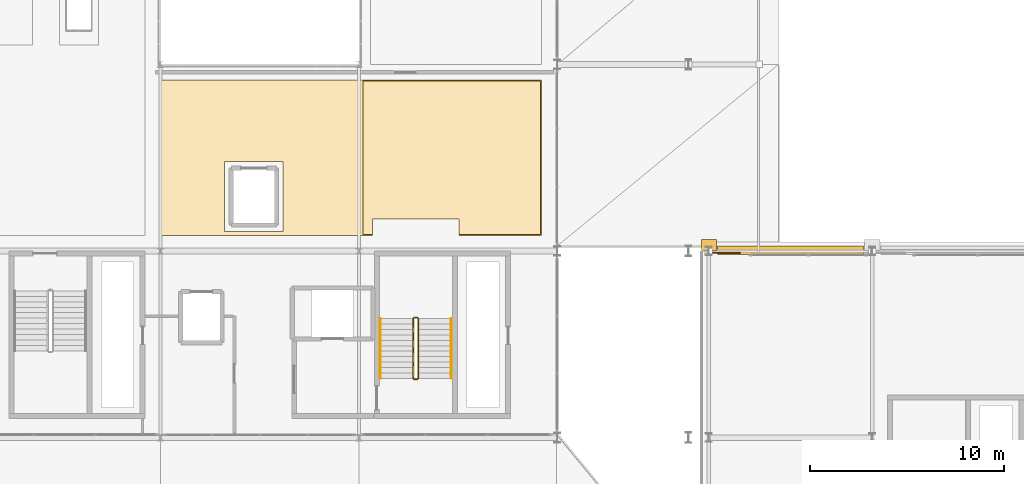
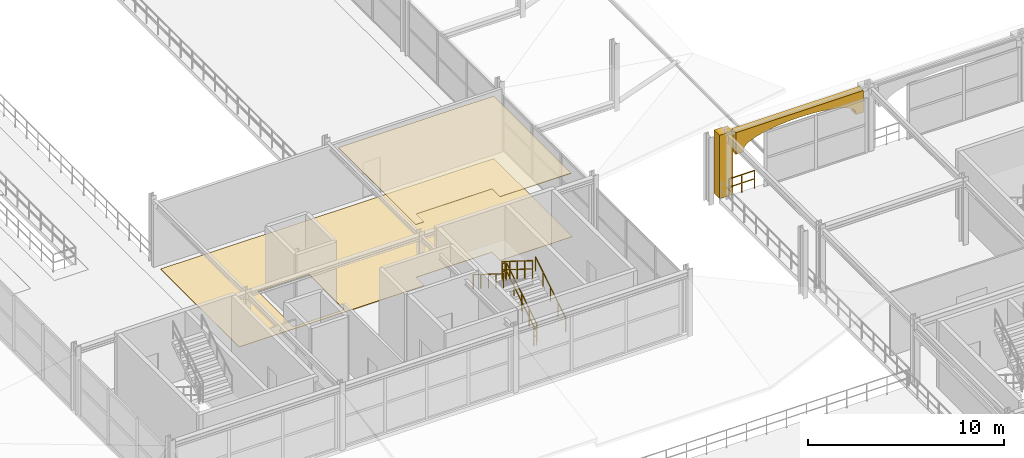
# One storey, part 68 of 81: 7 railings, 4 coverings.
"""IFC4 building model written with IfcOpenShell, lengths in metres."""

from ifc_helpers import new_model, si_unit, direction, frame, origin, origin_2d, place, context, subcontext, project, spatial, polyline, rectangle, outline, extrude, material, layer, layer_set, type_object, element, save


model = new_model("IFC4")

# Units and contexts
model_context = context("Model", 3, precision=1e-05, world=origin(), true_north=direction((0.0, 1.0)))
body_context = subcontext(model_context, "Body", "Model", "MODEL_VIEW")
ifc_project = project(units=[si_unit("LENGTHUNIT", "METRE"), si_unit("AREAUNIT", "SQUARE_METRE"), si_unit("VOLUMEUNIT", "CUBIC_METRE"), si_unit("PLANEANGLEUNIT", "RADIAN"), si_unit("MASSUNIT", "GRAM", prefix="KILO")], contexts=[model_context])

# Site, building, storey
site_placement = place(None, origin())
site = spatial("IfcSite", under=ifc_project, at=site_placement, CompositionType="ELEMENT")
building_placement = place(site_placement, origin())
building = spatial("IfcBuilding", under=site, at=building_placement, Name="Myrtia Square Station", CompositionType="ELEMENT")
storey_placement = place(building_placement, frame((0.0, 0.0, 10.800048828125)))
storey = spatial("IfcBuildingStorey", under=building, at=storey_placement, Name="L02", CompositionType="ELEMENT", Elevation=10.800048828125)

# Coverings
ifc_material_1 = material(Name="Pentelic marble ashlar", Category="masonry")
ifc_layer_1 = layer(ifc_material_1, 0.4599609375, Name="Pentelic marble ashlar")
ifc_layer_set_1 = layer_set([ifc_layer_1], Name="Pentelic marble ashlar")
covering_type_1 = type_object("IfcCoveringType", Name="COV-ARCH-ASHLAR", PredefinedType="CLADDING", material=ifc_layer_set_1)
covering_1_placement = place(storey_placement, frame((117.60009765625, 38.719970703125, -0.0400390625), z_axis=(0.0, 0.0, 1.0), x_axis=(1.0, 0.0, 0.0)))
element("IfcCovering", 1, at=covering_1_placement, inside=storey, type_object=covering_type_1, Name="Classical Pentelic ashlar pilaster 005", PredefinedType="CLADDING", context=body_context, shape_type="SweptSolid", body=[
    extrude(rectangle(XDim=0.780029296875, YDim=0.56005859375, at=origin_2d()), origin(), (0.0, 0.0, 1.0), 3.93994140625),
])
covering_2_placement = place(storey_placement, frame((118.050048828125, 38.449951171875, 2.550048828125), z_axis=(0.0, 0.0, 1.0), x_axis=(1.0, 0.0, 0.0)))
element("IfcCovering", 2, at=covering_2_placement, inside=storey, type_object=covering_type_1, Name="V4 upper square loggia arch 073", PredefinedType="CLADDING", context=body_context, shape_type="SweptSolid", body=[
    extrude(outline(polyline([(0.0, 0.0), (0.449951171875, 0.0), (0.449951171875, 0.14990234375), (0.513427734375, 0.315673828125), (0.701171875, 0.47509765625), (1.006103515625, 0.6220703125), (1.41650390625, 0.7509765625), (1.91650390625, 0.856689453125), (2.487060546875, 0.935302734375), (3.106201171875, 0.983642578125), (3.75, 1.0), (4.393798828125, 0.983642578125), (5.012939453125, 0.935302734375), (5.58349609375, 0.856689453125), (6.08349609375, 0.7509765625), (6.493896484375, 0.6220703125), (6.798828125, 0.47509765625), (6.986572265625, 0.315673828125), (7.050048828125, 0.14990234375), (7.050048828125, 0.0), (7.5, 0.0), (7.5, 1.349853515625), (0.0, 1.349853515625), (0.0, 0.0)])), frame((0.0, 0.219970703125, 0.0), z_axis=(0.0, -1.0, 0.0), x_axis=(1.0, 0.0, 0.0)), (0.0, 0.0, 1.0), 0.43994140625),
])
ifc_material_2 = material(Name="Gypsum plasterboard")
ifc_layer_2 = layer(ifc_material_2, 0.034912109375, Name="Gypsum plasterboard")
ifc_layer_set_2 = layer_set([ifc_layer_2], Name="Gypsum plasterboard")
covering_type_2 = type_object("IfcCoveringType", Name="COV-CEIL-ACOUSTIC", PredefinedType="CEILING", material=ifc_layer_set_2)
covering_3_placement = place(storey_placement, frame((0.0, 0.0, 3.925048828125)))
element("IfcCovering", 3, at=covering_3_placement, inside=storey, type_object=covering_type_2, Name="Acoustic coffer ceiling L02-01", PredefinedType="CEILING", context=body_context, shape_type="SweptSolid", body=[
    extrude(outline(polyline([(108.949951171875, 47.14990234375), (108.949951171875, 39.25), (104.760009765625, 39.25), (104.760009765625, 40.050048828125), (100.300048828125, 40.050048828125), (100.300048828125, 39.25), (99.820068359375, 39.25), (99.820068359375, 47.14990234375), (108.949951171875, 47.14990234375)])), origin(), (0.0, 0.0, 1.0), 0.034912109375),
])
ifc_material_3 = material(Name="Terrazzo stone tile", Category="masonry")
ifc_layer_3 = layer(ifc_material_3, 0.02490234375, Name="Terrazzo stone tile")
ifc_layer_set_3 = layer_set([ifc_layer_3], Name="Terrazzo stone tile")
covering_type_3 = type_object("IfcCoveringType", Name="COV-FLR-TERRAZZO", PredefinedType="FLOORING", material=ifc_layer_set_3)
covering_4_placement = place(storey_placement, origin())
element("IfcCovering", 4, at=covering_4_placement, inside=storey, type_object=covering_type_3, Name="Terrazzo room flooring L02-01", PredefinedType="FLOORING", context=body_context, shape_type="SweptSolid", body=[
    extrude(outline(polyline([(89.39990234375, 47.199951171875), (109.0, 47.199951171875), (109.0, 39.199951171875), (104.760009765625, 39.199951171875), (104.760009765625, 40.050048828125), (100.300048828125, 40.050048828125), (100.300048828125, 39.199951171875), (89.39990234375, 39.199951171875), (89.39990234375, 47.199951171875)]), holes=[polyline([(95.699951171875, 43.0), (92.699951171875, 43.0), (92.699951171875, 39.39990234375), (95.699951171875, 39.39990234375), (95.699951171875, 43.0)])]), origin(), (0.0, 0.0, 1.0), 0.02490234375),
])

# Railings
ifc_material_4 = material(Name="Dark bronze anodised aluminium", Category="aluminium")
railing_type_1 = type_object("IfcRailingType", Name="RL-HANDRAIL-900", PredefinedType="HANDRAIL", material=ifc_material_4)
railing_1_placement = place(storey_placement, frame((104.360107421875, 31.85009765625, 0.175048828125)))
element("IfcRailing", 5, at=railing_1_placement, inside=storey, type_object=railing_type_1, Name="L02 ST03 stair handrail 1", PredefinedType="HANDRAIL", context=body_context, shape_type="SweptSolid", body=[
    extrude(rectangle(XDim=0.048095703125, YDim=0.048095703125, at=origin_2d()), frame((0.0, 0.029296875, 0.894287109375), z_axis=(0.0, 0.848009633417, 0.529980812513), x_axis=(-1.0, 0.0, 0.0)), (0.0, 0.0, 1.0), 0.838623046875),
    extrude(rectangle(XDim=0.048095703125, YDim=0.048095703125, at=origin_2d()), frame((0.0, 0.79931640625, 1.37548828125), z_axis=(0.0, 0.848009633417, 0.529980812513), x_axis=(-1.0, 0.0, 0.0)), (0.0, 0.0, 1.0), 0.838623046875),
    extrude(rectangle(XDim=0.048095703125, YDim=0.048095703125, at=origin_2d()), frame((0.0, 1.5693359375, 1.856689453125), z_axis=(0.0, 0.848009633417, 0.529980812513), x_axis=(-1.0, 0.0, 0.0)), (0.0, 0.0, 1.0), 0.838623046875),
    extrude(rectangle(XDim=0.048095703125, YDim=0.048095703125, at=origin_2d()), frame((0.0, 2.33935546875, 2.337890625), z_axis=(0.0, 0.848009633417, 0.529980812513), x_axis=(-1.0, 0.0, 0.0)), (0.0, 0.0, 1.0), 0.838623046875),
    extrude(rectangle(XDim=0.0439453125, YDim=0.0439453125, at=origin_2d()), origin(), (0.0, 0.0, 1.0), 0.89990234375),
    extrude(rectangle(XDim=0.0439453125, YDim=0.0439453125, at=origin_2d()), frame((0.0, 0.77001953125, 0.481201171875)), (0.0, 0.0, 1.0), 0.89990234375),
    extrude(rectangle(XDim=0.0439453125, YDim=0.0439453125, at=origin_2d()), frame((0.0, 1.5400390625, 0.96240234375)), (0.0, 0.0, 1.0), 0.89990234375),
    extrude(rectangle(XDim=0.0439453125, YDim=0.0439453125, at=origin_2d()), frame((0.0, 2.309814453125, 1.443603515625)), (0.0, 0.0, 1.0), 0.89990234375),
    extrude(rectangle(XDim=0.0439453125, YDim=0.0439453125, at=origin_2d()), frame((0.0, 3.079833984375, 1.9248046875)), (0.0, 0.0, 1.0), 0.89990234375),
])
railing_2_placement = place(storey_placement, frame((100.699951171875, 34.929931640625, 2.27490234375)))
element("IfcRailing", 6, at=railing_2_placement, inside=storey, type_object=railing_type_1, Name="L02 ST03 stair handrail 2", PredefinedType="HANDRAIL", context=body_context, shape_type="SweptSolid", body=[
    extrude(rectangle(XDim=0.048095703125, YDim=0.048095703125, at=origin_2d()), frame((0.0, -0.029296875, 0.894287109375), z_axis=(0.0, -0.847979421464, 0.530029150871), x_axis=(1.0, 0.0, 0.0)), (0.0, 0.0, 1.0), 0.838623046875),
    extrude(rectangle(XDim=0.048095703125, YDim=0.048095703125, at=origin_2d()), frame((0.0, -0.79931640625, 1.37548828125), z_axis=(0.0, -0.847979421464, 0.530029150871), x_axis=(1.0, 0.0, 0.0)), (0.0, 0.0, 1.0), 0.838623046875),
    extrude(rectangle(XDim=0.048095703125, YDim=0.048095703125, at=origin_2d()), frame((0.0, -1.5693359375, 1.856689453125), z_axis=(0.0, -0.847979421464, 0.530029150871), x_axis=(1.0, 0.0, 0.0)), (0.0, 0.0, 1.0), 0.838623046875),
    extrude(rectangle(XDim=0.048095703125, YDim=0.048095703125, at=origin_2d()), frame((0.0, -2.33935546875, 2.337890625), z_axis=(0.0, -0.847979421464, 0.530029150871), x_axis=(1.0, 0.0, 0.0)), (0.0, 0.0, 1.0), 0.838623046875),
    extrude(rectangle(XDim=0.0439453125, YDim=0.0439453125, at=origin_2d()), origin(), (0.0, 0.0, 1.0), 0.89990234375),
    extrude(rectangle(XDim=0.0439453125, YDim=0.0439453125, at=origin_2d()), frame((0.0, -0.77001953125, 0.481201171875)), (0.0, 0.0, 1.0), 0.89990234375),
    extrude(rectangle(XDim=0.0439453125, YDim=0.0439453125, at=origin_2d()), frame((0.0, -1.5400390625, 0.96240234375)), (0.0, 0.0, 1.0), 0.89990234375),
    extrude(rectangle(XDim=0.0439453125, YDim=0.0439453125, at=origin_2d()), frame((0.0, -2.309814453125, 1.44384765625)), (0.0, 0.0, 1.0), 0.89990234375),
    extrude(rectangle(XDim=0.0439453125, YDim=0.0439453125, at=origin_2d()), frame((0.0, -3.079833984375, 1.925048828125)), (0.0, 0.0, 1.0), 0.89990234375),
])
ifc_material_5 = material(Name="Wrought iron", Category="steel")
railing_type_2 = type_object("IfcRailingType", Name="RL-INT-GUARD-1100", PredefinedType="BALUSTRADE", material=ifc_material_5)
railing_3_placement = place(storey_placement, frame((102.659912109375, 31.85009765625, 0.175048828125)))
element("IfcRailing", 7, at=railing_3_placement, inside=storey, type_object=railing_type_2, Name="L02 ST03 stair guard 1", PredefinedType="BALUSTRADE", context=body_context, shape_type="SweptSolid", body=[
    extrude(rectangle(XDim=0.048095703125, YDim=0.048095703125, at=origin_2d()), frame((0.0, 0.029296875, 1.114501953125), z_axis=(0.0, 0.848009633417, 0.529980812513), x_axis=(-1.0, 0.0, 0.0)), (0.0, 0.0, 1.0), 0.838623046875),
    extrude(rectangle(XDim=0.048095703125, YDim=0.048095703125, at=origin_2d()), frame((0.0, 0.029296875, 0.600830078125), z_axis=(0.0, 0.848009633417, 0.529980812513), x_axis=(-1.0, 0.0, 0.0)), (0.0, 0.0, 1.0), 0.838623046875),
    extrude(rectangle(XDim=0.048095703125, YDim=0.048095703125, at=origin_2d()), frame((0.0, 0.79931640625, 1.595703125), z_axis=(0.0, 0.848009633417, 0.529980812513), x_axis=(-1.0, 0.0, 0.0)), (0.0, 0.0, 1.0), 0.838623046875),
    extrude(rectangle(XDim=0.048095703125, YDim=0.048095703125, at=origin_2d()), frame((0.0, 0.79931640625, 1.08203125), z_axis=(0.0, 0.848009633417, 0.529980812513), x_axis=(-1.0, 0.0, 0.0)), (0.0, 0.0, 1.0), 0.838623046875),
    extrude(rectangle(XDim=0.048095703125, YDim=0.048095703125, at=origin_2d()), frame((0.0, 1.5693359375, 2.076904296875), z_axis=(0.0, 0.848009633417, 0.529980812513), x_axis=(-1.0, 0.0, 0.0)), (0.0, 0.0, 1.0), 0.838623046875),
    extrude(rectangle(XDim=0.048095703125, YDim=0.048095703125, at=origin_2d()), frame((0.0, 1.5693359375, 1.563232421875), z_axis=(0.0, 0.848009633417, 0.529980812513), x_axis=(-1.0, 0.0, 0.0)), (0.0, 0.0, 1.0), 0.838623046875),
    extrude(rectangle(XDim=0.048095703125, YDim=0.048095703125, at=origin_2d()), frame((0.0, 2.33935546875, 2.55810546875), z_axis=(0.0, 0.848009633417, 0.529980812513), x_axis=(-1.0, 0.0, 0.0)), (0.0, 0.0, 1.0), 0.838623046875),
    extrude(rectangle(XDim=0.048095703125, YDim=0.048095703125, at=origin_2d()), frame((0.0, 2.33935546875, 2.04443359375), z_axis=(0.0, 0.848009633417, 0.529980812513), x_axis=(-1.0, 0.0, 0.0)), (0.0, 0.0, 1.0), 0.838623046875),
    extrude(rectangle(XDim=0.0439453125, YDim=0.0439453125, at=origin_2d()), origin(), (0.0, 0.0, 1.0), 1.1201171875),
    extrude(rectangle(XDim=0.0439453125, YDim=0.0439453125, at=origin_2d()), frame((0.0, 0.77001953125, 0.481201171875)), (0.0, 0.0, 1.0), 1.1201171875),
    extrude(rectangle(XDim=0.0439453125, YDim=0.0439453125, at=origin_2d()), frame((0.0, 1.5400390625, 0.96240234375)), (0.0, 0.0, 1.0), 1.1201171875),
    extrude(rectangle(XDim=0.0439453125, YDim=0.0439453125, at=origin_2d()), frame((0.0, 2.309814453125, 1.443603515625)), (0.0, 0.0, 1.0), 1.1201171875),
    extrude(rectangle(XDim=0.0439453125, YDim=0.0439453125, at=origin_2d()), frame((0.0, 3.079833984375, 1.9248046875)), (0.0, 0.0, 1.0), 1.1201171875),
])
railing_4_placement = place(storey_placement, frame((102.610107421875, 34.97998046875, 2.099853515625)))
element("IfcRailing", 8, at=railing_4_placement, inside=storey, type_object=railing_type_2, Name="L02 ST03 stair guard 2", PredefinedType="BALUSTRADE", context=body_context, shape_type="SweptSolid", body=[
    extrude(rectangle(XDim=0.048095703125, YDim=0.048095703125, at=origin_2d()), frame((-0.03466796875, 0.0, 1.09619140625), z_axis=(-1.0, 0.0, 0.0), x_axis=(0.0, -1.0, 0.0)), (0.0, 0.0, 1.0), 0.0908203125),
    extrude(rectangle(XDim=0.048095703125, YDim=0.048095703125, at=origin_2d()), frame((-0.03466796875, 0.0, 0.58251953125), z_axis=(-1.0, 0.0, 0.0), x_axis=(0.0, -1.0, 0.0)), (0.0, 0.0, 1.0), 0.0908203125),
    extrude(rectangle(XDim=0.0439453125, YDim=0.0439453125, at=origin_2d()), origin(), (0.0, 0.0, 1.0), 1.1201171875),
    extrude(rectangle(XDim=0.0439453125, YDim=0.0439453125, at=origin_2d()), frame((-0.16015625, 0.0, 0.0)), (0.0, 0.0, 1.0), 1.1201171875),
])
railing_5_placement = place(storey_placement, frame((102.39990234375, 34.929931640625, 2.27490234375)))
element("IfcRailing", 9, at=railing_5_placement, inside=storey, type_object=railing_type_2, Name="L02 ST03 stair guard 3", PredefinedType="BALUSTRADE", context=body_context, shape_type="SweptSolid", body=[
    extrude(rectangle(XDim=0.048095703125, YDim=0.048095703125, at=origin_2d()), frame((0.0, -0.029296875, 1.114501953125), z_axis=(0.0, -0.847979421464, 0.530029150871), x_axis=(1.0, 0.0, 0.0)), (0.0, 0.0, 1.0), 0.838623046875),
    extrude(rectangle(XDim=0.048095703125, YDim=0.048095703125, at=origin_2d()), frame((0.0, -0.029296875, 0.600830078125), z_axis=(0.0, -0.847979421464, 0.530029150871), x_axis=(1.0, 0.0, 0.0)), (0.0, 0.0, 1.0), 0.838623046875),
    extrude(rectangle(XDim=0.048095703125, YDim=0.048095703125, at=origin_2d()), frame((0.0, -0.79931640625, 1.595703125), z_axis=(0.0, -0.847979421464, 0.530029150871), x_axis=(1.0, 0.0, 0.0)), (0.0, 0.0, 1.0), 0.838623046875),
    extrude(rectangle(XDim=0.048095703125, YDim=0.048095703125, at=origin_2d()), frame((0.0, -0.79931640625, 1.08203125), z_axis=(0.0, -0.847979421464, 0.530029150871), x_axis=(1.0, 0.0, 0.0)), (0.0, 0.0, 1.0), 0.838623046875),
    extrude(rectangle(XDim=0.048095703125, YDim=0.048095703125, at=origin_2d()), frame((0.0, -1.5693359375, 2.076904296875), z_axis=(0.0, -0.847979421464, 0.530029150871), x_axis=(1.0, 0.0, 0.0)), (0.0, 0.0, 1.0), 0.838623046875),
    extrude(rectangle(XDim=0.048095703125, YDim=0.048095703125, at=origin_2d()), frame((0.0, -1.5693359375, 1.563232421875), z_axis=(0.0, -0.847979421464, 0.530029150871), x_axis=(1.0, 0.0, 0.0)), (0.0, 0.0, 1.0), 0.838623046875),
    extrude(rectangle(XDim=0.048095703125, YDim=0.048095703125, at=origin_2d()), frame((0.0, -2.33935546875, 2.55810546875), z_axis=(0.0, -0.847979421464, 0.530029150871), x_axis=(1.0, 0.0, 0.0)), (0.0, 0.0, 1.0), 0.838623046875),
    extrude(rectangle(XDim=0.048095703125, YDim=0.048095703125, at=origin_2d()), frame((0.0, -2.33935546875, 2.044677734375), z_axis=(0.0, -0.847979421464, 0.530029150871), x_axis=(1.0, 0.0, 0.0)), (0.0, 0.0, 1.0), 0.838623046875),
    extrude(rectangle(XDim=0.0439453125, YDim=0.0439453125, at=origin_2d()), origin(), (0.0, 0.0, 1.0), 1.1201171875),
    extrude(rectangle(XDim=0.0439453125, YDim=0.0439453125, at=origin_2d()), frame((0.0, -0.77001953125, 0.481201171875)), (0.0, 0.0, 1.0), 1.1201171875),
    extrude(rectangle(XDim=0.0439453125, YDim=0.0439453125, at=origin_2d()), frame((0.0, -1.5400390625, 0.96240234375)), (0.0, 0.0, 1.0), 1.1201171875),
    extrude(rectangle(XDim=0.0439453125, YDim=0.0439453125, at=origin_2d()), frame((0.0, -2.309814453125, 1.44384765625)), (0.0, 0.0, 1.0), 1.1201171875),
    extrude(rectangle(XDim=0.0439453125, YDim=0.0439453125, at=origin_2d()), frame((0.0, -3.079833984375, 1.925048828125)), (0.0, 0.0, 1.0), 1.1201171875),
])
railing_6_placement = place(storey_placement, frame((102.610107421875, 31.800048828125, 0.0)))
element("IfcRailing", 10, at=railing_6_placement, inside=storey, type_object=railing_type_2, Name="L02 ST03 stair guard 4", PredefinedType="BALUSTRADE", context=body_context, shape_type="SweptSolid", body=[
    extrude(rectangle(XDim=0.048095703125, YDim=0.048095703125, at=origin_2d()), frame((-0.03466796875, 0.0, 1.09619140625), z_axis=(-1.0, 0.0, 0.0), x_axis=(0.0, -1.0, 0.0)), (0.0, 0.0, 1.0), 0.0908203125),
    extrude(rectangle(XDim=0.048095703125, YDim=0.048095703125, at=origin_2d()), frame((-0.03466796875, 0.0, 0.58251953125), z_axis=(-1.0, 0.0, 0.0), x_axis=(0.0, -1.0, 0.0)), (0.0, 0.0, 1.0), 0.0908203125),
    extrude(rectangle(XDim=0.0439453125, YDim=0.0439453125, at=origin_2d()), origin(), (0.0, 0.0, 1.0), 1.1201171875),
    extrude(rectangle(XDim=0.0439453125, YDim=0.0439453125, at=origin_2d()), frame((-0.16015625, 0.0, 0.0)), (0.0, 0.0, 1.0), 1.1201171875),
])
railing_7_placement = place(storey_placement, frame((119.199951171875, 38.320068359375, 0.0)))
element("IfcRailing", 11, at=railing_7_placement, inside=storey, type_object=railing_type_2, Name="Perimeter slab edge balustrade L02-047", PredefinedType="BALUSTRADE", context=body_context, shape_type="SweptSolid", body=[
    extrude(rectangle(XDim=0.048095703125, YDim=0.048095703125, at=origin_2d()), frame((-0.03466796875, 0.0, 1.09619140625), z_axis=(-1.0, 0.0, 0.0), x_axis=(0.0, -1.0, 0.0)), (0.0, 0.0, 1.0), 0.6806640625),
    extrude(rectangle(XDim=0.048095703125, YDim=0.048095703125, at=origin_2d()), frame((-0.03466796875, 0.0, 0.58251953125), z_axis=(-1.0, 0.0, 0.0), x_axis=(0.0, -1.0, 0.0)), (0.0, 0.0, 1.0), 0.6806640625),
    extrude(rectangle(XDim=0.048095703125, YDim=0.048095703125, at=origin_2d()), frame((-0.78466796875, 0.0, 1.09619140625), z_axis=(-1.0, 0.0, 0.0), x_axis=(0.0, -1.0, 0.0)), (0.0, 0.0, 1.0), 0.6806640625),
    extrude(rectangle(XDim=0.048095703125, YDim=0.048095703125, at=origin_2d()), frame((-0.78466796875, 0.0, 0.58251953125), z_axis=(-1.0, 0.0, 0.0), x_axis=(0.0, -1.0, 0.0)), (0.0, 0.0, 1.0), 0.6806640625),
    extrude(rectangle(XDim=0.0439453125, YDim=0.0439453125, at=origin_2d()), origin(), (0.0, 0.0, 1.0), 1.1201171875),
    extrude(rectangle(XDim=0.0439453125, YDim=0.0439453125, at=origin_2d()), frame((-0.75, 0.0, 0.0)), (0.0, 0.0, 1.0), 1.1201171875),
    extrude(rectangle(XDim=0.0439453125, YDim=0.0439453125, at=origin_2d()), frame((-1.5, 0.0, 0.0)), (0.0, 0.0, 1.0), 1.1201171875),
])

save(model, "model.ifc")
